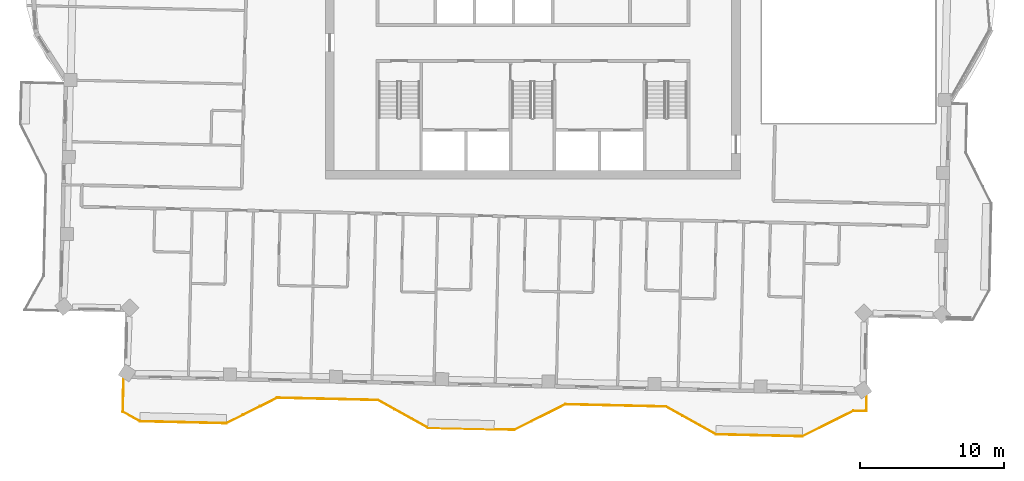
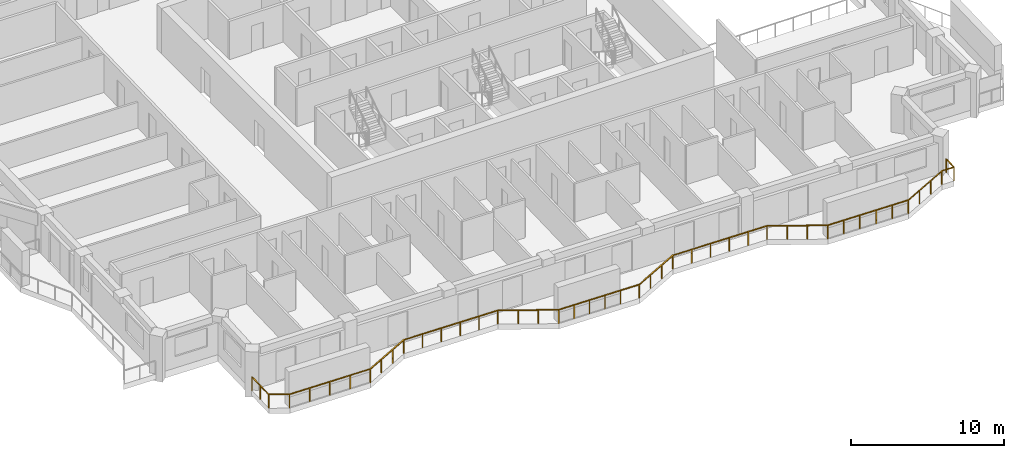
# One storey, part 13 of 15: 1 railing.
"""IFC4 building model written with IfcOpenShell, lengths in metres."""

from ifc_helpers import new_model, si_unit, direction, frame, origin, origin_2d, place, context, subcontext, project, spatial, rectangle, extrude, material, type_object, element, save


model = new_model("IFC4")

# Units and contexts
model_context = context("Model", 3, precision=1e-05, world=origin(), true_north=direction((0.0, 1.0)))
body_context = subcontext(model_context, "Body", "Model", "MODEL_VIEW")
ifc_project = project(units=[si_unit("LENGTHUNIT", "METRE"), si_unit("AREAUNIT", "SQUARE_METRE"), si_unit("VOLUMEUNIT", "CUBIC_METRE"), si_unit("PLANEANGLEUNIT", "RADIAN"), si_unit("MASSUNIT", "GRAM", prefix="KILO")], contexts=[model_context])

# Site, building, storey
site_placement = place(None, origin())
site = spatial("IfcSite", under=ifc_project, at=site_placement, CompositionType="ELEMENT")
building_placement = place(site_placement, origin())
building = spatial("IfcBuilding", under=site, at=building_placement, Name="Mangrove Gate Tower", CompositionType="ELEMENT")
storey_placement = place(building_placement, frame((0.0, 0.0, 313.300048828125)))
storey = spatial("IfcBuildingStorey", under=building, at=storey_placement, Name="L80", CompositionType="ELEMENT", Elevation=313.300048828125)

# Railing
ifc_material = material(Name="Stainless steel grade 316 with laminated glass infill", Category="steel")
railing_type = type_object("IfcRailingType", Name="Balcony guard 1100", PredefinedType="GUARDRAIL", material=ifc_material)
railing_placement = place(storey_placement, frame((-28.41796875, -25.2890625, 0.0)))
element("IfcRailing", 1, at=railing_placement, inside=storey, type_object=railing_type, Name="GUARD L80 S1", PredefinedType="GUARDRAIL", context=body_context, shape_type="SweptSolid", body=[
    extrude(rectangle(XDim=0.048095703125, YDim=0.048095703125, at=origin_2d()), frame((0.0, 0.0, 1.076171875), z_axis=(-0.022853012666, -0.999738835803, 0.0), x_axis=(0.999738835803, -0.022853012666, 0.0)), (0.0, 0.0, 1.0), 2.275390625),
    extrude(rectangle(XDim=0.048095703125, YDim=0.048095703125, at=origin_2d()), frame((-0.052001953125, -2.27490234375, 1.076171875), z_axis=(0.873460932936, -0.486894237627, 0.0), x_axis=(0.486894237627, 0.873460932936, 0.0)), (0.0, 0.0, 1.0), 1.35791015625),
    extrude(rectangle(XDim=0.048095703125, YDim=0.048095703125, at=origin_2d()), frame((1.134033203125, -2.93603515625, 1.076171875), z_axis=(0.999743094499, -0.022665943652, 0.0), x_axis=(0.022665943652, 0.999743094499, 0.0)), (0.0, 0.0, 1.0), 5.99951171875),
    extrude(rectangle(XDim=0.048095703125, YDim=0.048095703125, at=origin_2d()), frame((7.132080078125, -3.072021484375, 1.076171875), z_axis=(0.894464192593, 0.447139584658, 0.0), x_axis=(-0.447139584658, 0.894464192593, 0.0)), (0.0, 0.0, 1.0), 3.95849609375),
    extrude(rectangle(XDim=0.048095703125, YDim=0.048095703125, at=origin_2d()), frame((10.6728515625, -1.302001953125, 1.076171875), z_axis=(0.999742195543, -0.022705559911, 0.0), x_axis=(0.022705559911, 0.999742195543, 0.0)), (0.0, 0.0, 1.0), 6.999755859375),
    extrude(rectangle(XDim=0.048095703125, YDim=0.048095703125, at=origin_2d()), frame((17.6708984375, -1.4609375, 1.076171875), z_axis=(0.873315448515, -0.487155136876, 0.0), x_axis=(0.487155136876, 0.873315448515, 0.0)), (0.0, 0.0, 1.0), 3.959716796875),
    extrude(rectangle(XDim=0.048095703125, YDim=0.048095703125, at=origin_2d()), frame((21.12890625, -3.389892578125, 1.076171875), z_axis=(0.999744296031, -0.022612884682, 0.0), x_axis=(0.022612884682, 0.999744296031, 0.0)), (0.0, 0.0, 1.0), 4.599365234375),
    extrude(rectangle(XDim=0.048095703125, YDim=0.048095703125, at=origin_2d()), frame((25.72705078125, -3.493896484375, 1.076171875), z_axis=(0.999739128131, -0.022840220751, 0.0), x_axis=(0.022840220751, 0.999739128131, 0.0)), (0.0, 0.0, 1.0), 1.400146484375),
    extrude(rectangle(XDim=0.048095703125, YDim=0.048095703125, at=origin_2d()), frame((27.126953125, -3.52587890625, 1.076171875), z_axis=(0.894476522376, 0.447114919141, 0.0), x_axis=(-0.447114919141, 0.894476522376, 0.0)), (0.0, 0.0, 1.0), 3.958740234375),
    extrude(rectangle(XDim=0.048095703125, YDim=0.048095703125, at=origin_2d()), frame((30.66796875, -1.755859375, 1.076171875), z_axis=(0.999741403216, -0.022740419861, 0.0), x_axis=(0.022740419861, 0.999741403216, 0.0)), (0.0, 0.0, 1.0), 6.999755859375),
    extrude(rectangle(XDim=0.048095703125, YDim=0.048095703125, at=origin_2d()), frame((37.666015625, -1.9150390625, 1.076171875), z_axis=(0.873361856081, -0.487071933437, 0.0), x_axis=(0.487071933437, 0.873361856081, 0.0)), (0.0, 0.0, 1.0), 3.958251953125),
    extrude(rectangle(XDim=0.048095703125, YDim=0.048095703125, at=origin_2d()), frame((41.123046875, -3.843017578125, 1.076171875), z_axis=(0.999739477659, -0.022824916448, 0.0), x_axis=(0.022824916448, 0.999739477659, 0.0)), (0.0, 0.0, 1.0), 6.00048828125),
    extrude(rectangle(XDim=0.048095703125, YDim=0.048095703125, at=origin_2d()), frame((47.1220703125, -3.97998046875, 1.076171875), z_axis=(0.894377854182, 0.447312255532, 0.0), x_axis=(-0.447312255532, 0.894377854182, 0.0)), (0.0, 0.0, 1.0), 3.959228515625),
    extrude(rectangle(XDim=0.048095703125, YDim=0.048095703125, at=origin_2d()), frame((50.6630859375, -2.208984375, 1.076171875), z_axis=(0.99972793105, -0.023325176905, 0.0), x_axis=(0.023325176905, 0.99972793105, 0.0)), (0.0, 0.0, 1.0), 0.900146484375),
    extrude(rectangle(XDim=0.048095703125, YDim=0.048095703125, at=origin_2d()), frame((51.56298828125, -2.22998046875, 1.076171875), z_axis=(0.022564497502, 0.999745389313, 0.0), x_axis=(-0.999745389313, 0.022564497502, 0.0)), (0.0, 0.0, 1.0), 1.060302734375),
    extrude(rectangle(XDim=0.0419921875, YDim=0.0419921875, at=origin_2d()), origin(), (0.0, 0.0, 1.0), 1.052001953125),
    extrude(rectangle(XDim=0.0419921875, YDim=0.0419921875, at=origin_2d()), frame((-0.02587890625, -1.137451171875, 0.0)), (0.0, 0.0, 1.0), 1.052001953125),
    extrude(rectangle(XDim=0.0419921875, YDim=0.0419921875, at=origin_2d()), frame((-0.052001953125, -2.27490234375, 0.0)), (0.0, 0.0, 1.0), 1.052001953125),
    extrude(rectangle(XDim=0.0419921875, YDim=0.0419921875, at=origin_2d()), frame((1.134033203125, -2.93603515625, 0.0)), (0.0, 0.0, 1.0), 1.052001953125),
    extrude(rectangle(XDim=0.0419921875, YDim=0.0419921875, at=origin_2d()), frame((2.633544921875, -2.969970703125, 0.0)), (0.0, 0.0, 1.0), 1.052001953125),
    extrude(rectangle(XDim=0.0419921875, YDim=0.0419921875, at=origin_2d()), frame((4.133056640625, -3.00390625, 0.0)), (0.0, 0.0, 1.0), 1.052001953125),
    extrude(rectangle(XDim=0.0419921875, YDim=0.0419921875, at=origin_2d()), frame((5.632568359375, -3.0380859375, 0.0)), (0.0, 0.0, 1.0), 1.052001953125),
    extrude(rectangle(XDim=0.0419921875, YDim=0.0419921875, at=origin_2d()), frame((7.132080078125, -3.072021484375, 0.0)), (0.0, 0.0, 1.0), 1.052001953125),
    extrude(rectangle(XDim=0.0419921875, YDim=0.0419921875, at=origin_2d()), frame((8.312255859375, -2.48193359375, 0.0)), (0.0, 0.0, 1.0), 1.052001953125),
    extrude(rectangle(XDim=0.0419921875, YDim=0.0419921875, at=origin_2d()), frame((9.49267578125, -1.89208984375, 0.0)), (0.0, 0.0, 1.0), 1.052001953125),
    extrude(rectangle(XDim=0.0419921875, YDim=0.0419921875, at=origin_2d()), frame((10.6728515625, -1.302001953125, 0.0)), (0.0, 0.0, 1.0), 1.052001953125),
    extrude(rectangle(XDim=0.0419921875, YDim=0.0419921875, at=origin_2d()), frame((12.072509765625, -1.333740234375, 0.0)), (0.0, 0.0, 1.0), 1.052001953125),
    extrude(rectangle(XDim=0.0419921875, YDim=0.0419921875, at=origin_2d()), frame((13.47216796875, -1.365478515625, 0.0)), (0.0, 0.0, 1.0), 1.052001953125),
    extrude(rectangle(XDim=0.0419921875, YDim=0.0419921875, at=origin_2d()), frame((14.87158203125, -1.3974609375, 0.0)), (0.0, 0.0, 1.0), 1.052001953125),
    extrude(rectangle(XDim=0.0419921875, YDim=0.0419921875, at=origin_2d()), frame((16.271240234375, -1.42919921875, 0.0)), (0.0, 0.0, 1.0), 1.052001953125),
    extrude(rectangle(XDim=0.0419921875, YDim=0.0419921875, at=origin_2d()), frame((17.6708984375, -1.4609375, 0.0)), (0.0, 0.0, 1.0), 1.052001953125),
    extrude(rectangle(XDim=0.0419921875, YDim=0.0419921875, at=origin_2d()), frame((18.823486328125, -2.10400390625, 0.0)), (0.0, 0.0, 1.0), 1.052001953125),
    extrude(rectangle(XDim=0.0419921875, YDim=0.0419921875, at=origin_2d()), frame((19.976318359375, -2.746826171875, 0.0)), (0.0, 0.0, 1.0), 1.052001953125),
    extrude(rectangle(XDim=0.0419921875, YDim=0.0419921875, at=origin_2d()), frame((21.12890625, -3.389892578125, 0.0)), (0.0, 0.0, 1.0), 1.052001953125),
    extrude(rectangle(XDim=0.0419921875, YDim=0.0419921875, at=origin_2d()), frame((22.2783203125, -3.416015625, 0.0)), (0.0, 0.0, 1.0), 1.052001953125),
    extrude(rectangle(XDim=0.0419921875, YDim=0.0419921875, at=origin_2d()), frame((23.427978515625, -3.44189453125, 0.0)), (0.0, 0.0, 1.0), 1.052001953125),
    extrude(rectangle(XDim=0.0419921875, YDim=0.0419921875, at=origin_2d()), frame((24.57763671875, -3.4677734375, 0.0)), (0.0, 0.0, 1.0), 1.052001953125),
    extrude(rectangle(XDim=0.0419921875, YDim=0.0419921875, at=origin_2d()), frame((25.72705078125, -3.493896484375, 0.0)), (0.0, 0.0, 1.0), 1.052001953125),
    extrude(rectangle(XDim=0.0419921875, YDim=0.0419921875, at=origin_2d()), frame((27.126953125, -3.52587890625, 0.0)), (0.0, 0.0, 1.0), 1.052001953125),
    extrude(rectangle(XDim=0.0419921875, YDim=0.0419921875, at=origin_2d()), frame((28.307373046875, -2.935791015625, 0.0)), (0.0, 0.0, 1.0), 1.052001953125),
    extrude(rectangle(XDim=0.0419921875, YDim=0.0419921875, at=origin_2d()), frame((29.487548828125, -2.345947265625, 0.0)), (0.0, 0.0, 1.0), 1.052001953125),
    extrude(rectangle(XDim=0.0419921875, YDim=0.0419921875, at=origin_2d()), frame((30.66796875, -1.755859375, 0.0)), (0.0, 0.0, 1.0), 1.052001953125),
    extrude(rectangle(XDim=0.0419921875, YDim=0.0419921875, at=origin_2d()), frame((32.067626953125, -1.78759765625, 0.0)), (0.0, 0.0, 1.0), 1.052001953125),
    extrude(rectangle(XDim=0.0419921875, YDim=0.0419921875, at=origin_2d()), frame((33.46728515625, -1.819580078125, 0.0)), (0.0, 0.0, 1.0), 1.052001953125),
    extrude(rectangle(XDim=0.0419921875, YDim=0.0419921875, at=origin_2d()), frame((34.86669921875, -1.851318359375, 0.0)), (0.0, 0.0, 1.0), 1.052001953125),
    extrude(rectangle(XDim=0.0419921875, YDim=0.0419921875, at=origin_2d()), frame((36.266357421875, -1.88330078125, 0.0)), (0.0, 0.0, 1.0), 1.052001953125),
    extrude(rectangle(XDim=0.0419921875, YDim=0.0419921875, at=origin_2d()), frame((37.666015625, -1.9150390625, 0.0)), (0.0, 0.0, 1.0), 1.052001953125),
    extrude(rectangle(XDim=0.0419921875, YDim=0.0419921875, at=origin_2d()), frame((38.818359375, -2.5576171875, 0.0)), (0.0, 0.0, 1.0), 1.052001953125),
    extrude(rectangle(XDim=0.0419921875, YDim=0.0419921875, at=origin_2d()), frame((39.970703125, -3.200439453125, 0.0)), (0.0, 0.0, 1.0), 1.052001953125),
    extrude(rectangle(XDim=0.0419921875, YDim=0.0419921875, at=origin_2d()), frame((41.123046875, -3.843017578125, 0.0)), (0.0, 0.0, 1.0), 1.052001953125),
    extrude(rectangle(XDim=0.0419921875, YDim=0.0419921875, at=origin_2d()), frame((42.32275390625, -3.870361328125, 0.0)), (0.0, 0.0, 1.0), 1.052001953125),
    extrude(rectangle(XDim=0.0419921875, YDim=0.0419921875, at=origin_2d()), frame((43.522705078125, -3.897705078125, 0.0)), (0.0, 0.0, 1.0), 1.052001953125),
    extrude(rectangle(XDim=0.0419921875, YDim=0.0419921875, at=origin_2d()), frame((44.722412109375, -3.92529296875, 0.0)), (0.0, 0.0, 1.0), 1.052001953125),
    extrude(rectangle(XDim=0.0419921875, YDim=0.0419921875, at=origin_2d()), frame((45.92236328125, -3.95263671875, 0.0)), (0.0, 0.0, 1.0), 1.052001953125),
    extrude(rectangle(XDim=0.0419921875, YDim=0.0419921875, at=origin_2d()), frame((47.1220703125, -3.97998046875, 0.0)), (0.0, 0.0, 1.0), 1.052001953125),
    extrude(rectangle(XDim=0.0419921875, YDim=0.0419921875, at=origin_2d()), frame((48.302490234375, -3.3896484375, 0.0)), (0.0, 0.0, 1.0), 1.052001953125),
    extrude(rectangle(XDim=0.0419921875, YDim=0.0419921875, at=origin_2d()), frame((49.482666015625, -2.79931640625, 0.0)), (0.0, 0.0, 1.0), 1.052001953125),
    extrude(rectangle(XDim=0.0419921875, YDim=0.0419921875, at=origin_2d()), frame((50.6630859375, -2.208984375, 0.0)), (0.0, 0.0, 1.0), 1.052001953125),
    extrude(rectangle(XDim=0.0419921875, YDim=0.0419921875, at=origin_2d()), frame((51.56298828125, -2.22998046875, 0.0)), (0.0, 0.0, 1.0), 1.052001953125),
    extrude(rectangle(XDim=0.0419921875, YDim=0.0419921875, at=origin_2d()), frame((51.5869140625, -1.169921875, 0.0)), (0.0, 0.0, 1.0), 1.052001953125),
])

save(model, "model.ifc")
